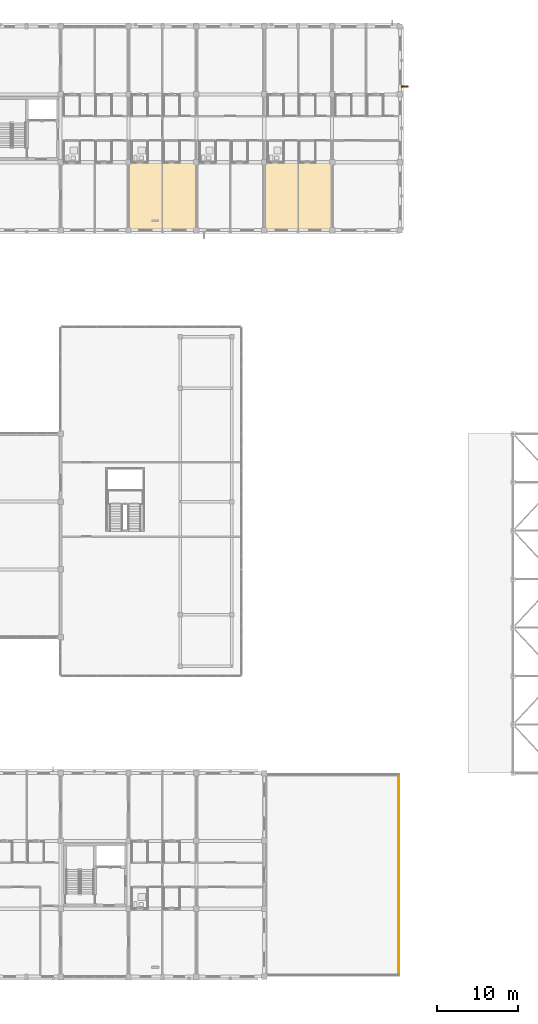
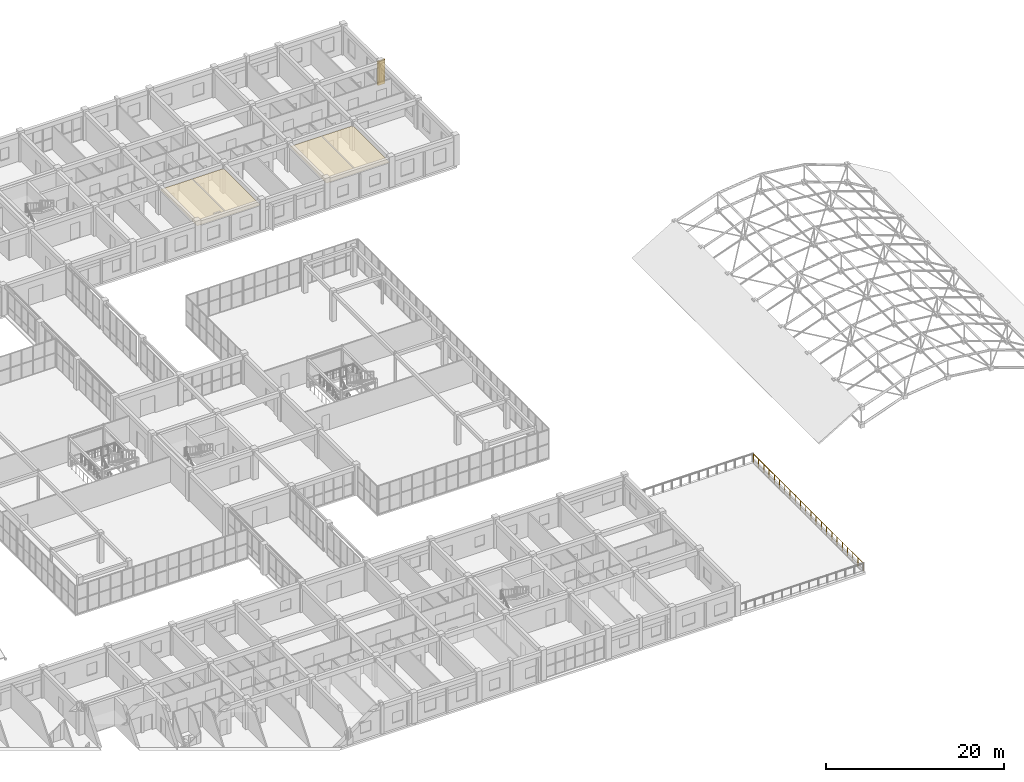
# One storey, part 138 of 140: 2 coverings, 1 railing, 1 shading device.
"""IFC4 building model written with IfcOpenShell, lengths in metres."""

from ifc_helpers import new_model, si_unit, direction, frame, origin, origin_2d, place, context, subcontext, project, spatial, polyline, rectangle, circle, outline, extrude, material, layer, layer_set, type_object, element, save


model = new_model("IFC4")

# Units and contexts
model_context = context("Model", 3, precision=1e-05, world=origin(), true_north=direction((0.0, 1.0)))
body_context = subcontext(model_context, "Body", "Model", "MODEL_VIEW")
ifc_project = project(units=[si_unit("LENGTHUNIT", "METRE"), si_unit("AREAUNIT", "SQUARE_METRE"), si_unit("VOLUMEUNIT", "CUBIC_METRE"), si_unit("PLANEANGLEUNIT", "RADIAN"), si_unit("MASSUNIT", "GRAM", prefix="KILO")], contexts=[model_context])

# Site, building, storey
site_placement = place(None, origin())
site = spatial("IfcSite", under=ifc_project, at=site_placement, CompositionType="ELEMENT")
building_placement = place(site_placement, origin())
building = spatial("IfcBuilding", under=site, at=building_placement, Name="Trelvath General Hospital", CompositionType="ELEMENT")
storey_placement = place(building_placement, frame((0.0, 0.0, 16.199951171875)))
storey = spatial("IfcBuildingStorey", under=building, at=storey_placement, Name="L04", CompositionType="ELEMENT", Elevation=16.199951171875)

# Shading device
ifc_material_1 = material(Name="Precast concrete C40/50", Category="concrete")
shading_device_type = type_object("IfcShadingDeviceType", Name="BriseSoleil PrecastFin900", PredefinedType="JALOUSIE", material=ifc_material_1)
shading_device_placement = place(storey_placement, frame((135.0048828125, 110.1533203125, 0.0), z_axis=(0.0, 0.0, 1.0), x_axis=(1.0, 0.0, 0.0)))
element("IfcShadingDevice", 1, at=shading_device_placement, inside=storey, type_object=shading_device_type, Name="Solar Brise-Soleil Screen L04-79", PredefinedType="JALOUSIE", context=body_context, shape_type="SweptSolid", body=[
    extrude(rectangle(XDim=0.89990234375, YDim=0.179931640625, at=origin_2d()), origin(), (0.0, 0.0, 1.0), 3.320068359375),
])

# Coverings
ifc_material_2 = material(Name="Hygienic acoustic ceiling tile")
ifc_layer = layer(ifc_material_2, 0.02490234375)
ifc_layer_set = layer_set([ifc_layer], Name="Hygienic acoustic ceiling tile")
covering_type = type_object("IfcCoveringType", Name="Ceiling ClinicalAcoustic", PredefinedType="CEILING", material=ifc_layer_set)
covering_1_placement = place(storey_placement, frame((0.0, 0.0, 3.179931640625)))
element("IfcCovering", 2, at=covering_1_placement, inside=storey, type_object=covering_type, Name="Clinical Acoustic Ceiling L04-58", PredefinedType="CEILING", context=body_context, shape_type="SweptSolid", body=[
    extrude(outline(polyline([(100.89990234375, 92.5), (109.10009765625, 92.5), (109.10009765625, 100.719970703125), (100.89990234375, 100.719970703125), (100.89990234375, 92.5)])), origin(), (0.0, 0.0, 1.0), 0.025146484375),
])
covering_2_placement = place(storey_placement, frame((0.0, 0.0, 3.179931640625)))
element("IfcCovering", 3, at=covering_2_placement, inside=storey, type_object=covering_type, Name="Clinical Acoustic Ceiling L04-59", PredefinedType="CEILING", context=body_context, shape_type="SweptSolid", body=[
    extrude(outline(polyline([(117.699951171875, 92.5), (125.89990234375, 92.5), (125.89990234375, 100.719970703125), (117.699951171875, 100.719970703125), (117.699951171875, 92.5)])), origin(), (0.0, 0.0, 1.0), 0.025146484375),
])

# Railing
ifc_material_3 = material(Name="Architectural painted steel", Category="steel")
railing_type = type_object("IfcRailingType", Name="Guardrail Terrace1150", PredefinedType="GUARDRAIL", material=ifc_material_3)
railing_placement = place(storey_placement, frame((134.219970703125, 0.239990234375, 0.0)))
element("IfcRailing", 4, at=railing_placement, inside=storey, type_object=railing_type, Name="Planted Terrace Guardrail TERR-SW-E4 E 7", PredefinedType="GUARDRAIL", context=body_context, shape_type="SweptSolid", body=[
    extrude(circle(Radius=0.02392578125, at=origin_2d()), frame((0.0, 0.0, 1.1259765625), z_axis=(0.0, 1.0, 0.0), x_axis=(-1.0, 0.0, 0.0)), (0.0, 0.0, 1.0), 24.719970703125),
    extrude(circle(Radius=0.02099609375, at=origin_2d()), origin(), (0.0, 0.0, 1.0), 1.099853515625),
    extrude(circle(Radius=0.02099609375, at=origin_2d()), frame((0.0, 1.17724609375, 0.0)), (0.0, 0.0, 1.0), 1.099853515625),
    extrude(circle(Radius=0.02099609375, at=origin_2d()), frame((0.0, 2.354248046875, 0.0)), (0.0, 0.0, 1.0), 1.099853515625),
    extrude(circle(Radius=0.02099609375, at=origin_2d()), frame((0.0, 3.531494140625, 0.0)), (0.0, 0.0, 1.0), 1.099853515625),
    extrude(circle(Radius=0.02099609375, at=origin_2d()), frame((0.0, 4.70849609375, 0.0)), (0.0, 0.0, 1.0), 1.099853515625),
    extrude(circle(Radius=0.02099609375, at=origin_2d()), frame((0.0, 5.8857421875, 0.0)), (0.0, 0.0, 1.0), 1.099853515625),
    extrude(circle(Radius=0.02099609375, at=origin_2d()), frame((0.0, 7.062744140625, 0.0)), (0.0, 0.0, 1.0), 1.099853515625),
    extrude(circle(Radius=0.02099609375, at=origin_2d()), frame((0.0, 8.239990234375, 0.0)), (0.0, 0.0, 1.0), 1.099853515625),
    extrude(circle(Radius=0.02099609375, at=origin_2d()), frame((0.0, 9.417236328125, 0.0)), (0.0, 0.0, 1.0), 1.099853515625),
    extrude(circle(Radius=0.02099609375, at=origin_2d()), frame((0.0, 10.59423828125, 0.0)), (0.0, 0.0, 1.0), 1.099853515625),
    extrude(circle(Radius=0.02099609375, at=origin_2d()), frame((0.0, 11.771484375, 0.0)), (0.0, 0.0, 1.0), 1.099853515625),
    extrude(circle(Radius=0.02099609375, at=origin_2d()), frame((0.0, 12.948486328125, 0.0)), (0.0, 0.0, 1.0), 1.099853515625),
    extrude(circle(Radius=0.02099609375, at=origin_2d()), frame((0.0, 14.125732421875, 0.0)), (0.0, 0.0, 1.0), 1.099853515625),
    extrude(circle(Radius=0.02099609375, at=origin_2d()), frame((0.0, 15.302734375, 0.0)), (0.0, 0.0, 1.0), 1.099853515625),
    extrude(circle(Radius=0.02099609375, at=origin_2d()), frame((0.0, 16.47998046875, 0.0)), (0.0, 0.0, 1.0), 1.099853515625),
    extrude(circle(Radius=0.02099609375, at=origin_2d()), frame((0.0, 17.6572265625, 0.0)), (0.0, 0.0, 1.0), 1.099853515625),
    extrude(circle(Radius=0.02099609375, at=origin_2d()), frame((0.0, 18.834228515625, 0.0)), (0.0, 0.0, 1.0), 1.099853515625),
    extrude(circle(Radius=0.02099609375, at=origin_2d()), frame((0.0, 20.011474609375, 0.0)), (0.0, 0.0, 1.0), 1.099853515625),
    extrude(circle(Radius=0.02099609375, at=origin_2d()), frame((0.0, 21.1884765625, 0.0)), (0.0, 0.0, 1.0), 1.099853515625),
    extrude(circle(Radius=0.02099609375, at=origin_2d()), frame((0.0, 22.36572265625, 0.0)), (0.0, 0.0, 1.0), 1.099853515625),
    extrude(circle(Radius=0.02099609375, at=origin_2d()), frame((0.0, 23.542724609375, 0.0)), (0.0, 0.0, 1.0), 1.099853515625),
    extrude(circle(Radius=0.02099609375, at=origin_2d()), frame((0.0, 24.719970703125, 0.0)), (0.0, 0.0, 1.0), 1.099853515625),
])

save(model, "model.ifc")
